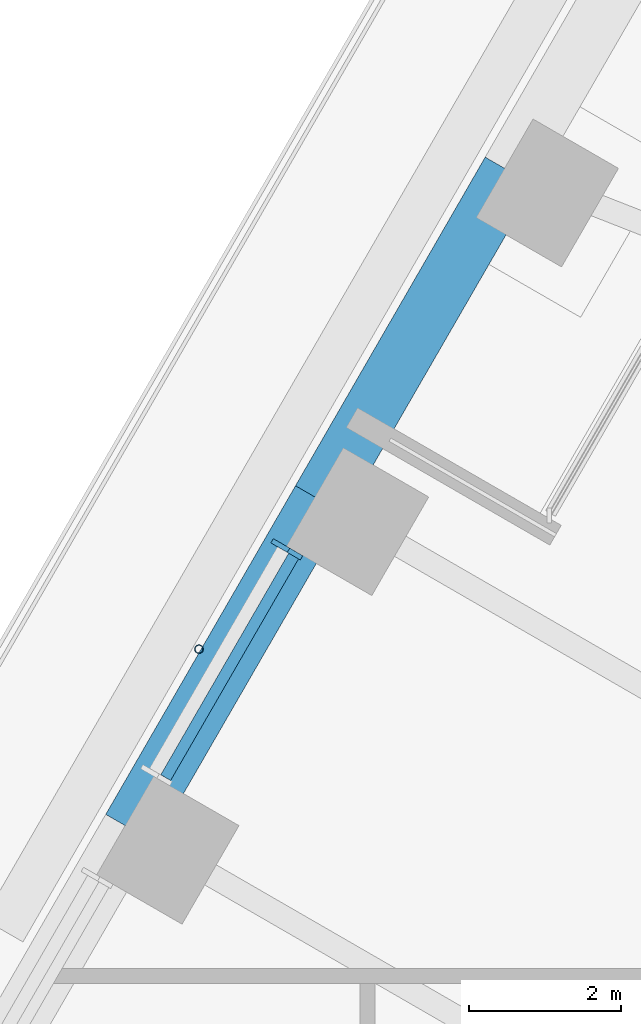
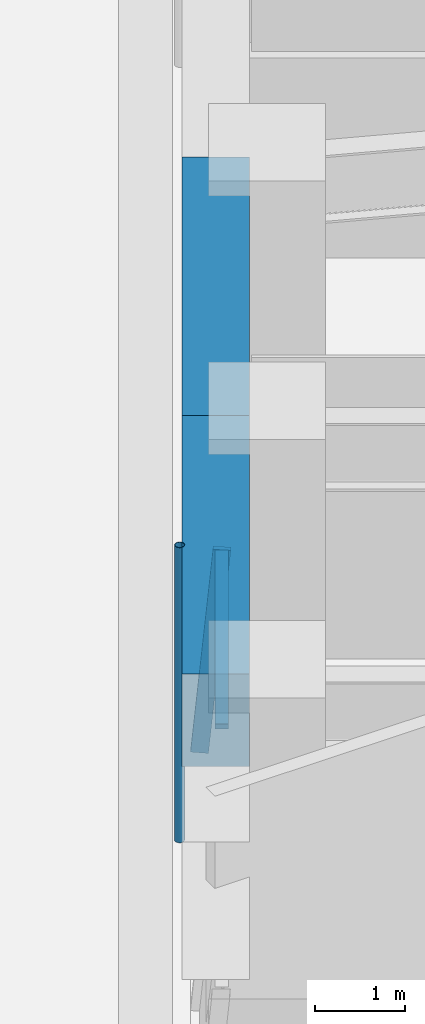
# One storey, part 7 of 24: 3 members, 2 beams, 1 element without a shape of its own.
"""IFC4 building model written with IfcOpenShell, lengths in metres."""

from ifc_helpers import new_model, si_unit, direction, frame, origin, origin_2d, place, context, subcontext, project, spatial, rectangle, hollow_circle, extrude, material, material_profile, profile_set, type_object, element, aggregate, save


model = new_model("IFC4")

# Units and contexts
model_context = context("Model", 3, precision=1e-05, world=origin(), true_north=direction((0.0, 1.0)))
body_context = subcontext(model_context, "Body", "Model", "MODEL_VIEW")
ifc_project = project(units=[si_unit("LENGTHUNIT", "METRE"), si_unit("AREAUNIT", "SQUARE_METRE"), si_unit("VOLUMEUNIT", "CUBIC_METRE"), si_unit("PLANEANGLEUNIT", "RADIAN"), si_unit("MASSUNIT", "GRAM", prefix="KILO")], contexts=[model_context])

# Site, building, storey
site_placement = place(None, origin())
site = spatial("IfcSite", under=ifc_project, at=site_placement, CompositionType="ELEMENT")
building_placement = place(site_placement, origin())
building = spatial("IfcBuilding", under=site, at=building_placement, Name="Tarfa Lantern Tower", CompositionType="ELEMENT")
storey_placement = place(building_placement, frame((0.0, 0.0, 195.10009765625)))
storey = spatial("IfcBuildingStorey", under=building, at=storey_placement, Name="L44", CompositionType="ELEMENT", Elevation=195.10009765625)

# Curtain wall, members
ifc_material_1 = material(Name="Aluminium framed curtain wall", Category="aluminium")
curtain_wall_type = type_object("IfcCurtainWallType", Name="CW2 CANTED GLAZING MID ZONE 2750", PredefinedType="USERDEFINED", material=ifc_material_1)
curtain_wall_placement = place(storey_placement, origin())
curtain_wall = element("IfcCurtainWall", 1, at=curtain_wall_placement, inside=storey, type_object=curtain_wall_type, Name="CW2 NWB L44", ObjectType="CURTAIN WALL", PredefinedType="USERDEFINED")
ifc_material_2 = material(Name="Aluminium mullion", Category="aluminium")
ifc_material_profile_1 = material_profile(ifc_material_2, rectangle(XDim=0.06494140625, YDim=0.199951171875, at=origin_2d()), Name="AL MULLION 65x200")
ifc_profile_set_1 = profile_set([ifc_material_profile_1], Name="Aluminium mullion")
member_type_1 = type_object("IfcMemberType", Name="CWM1 MULLION 65x200", PredefinedType="MULLION", material=ifc_profile_set_1)
member_1_placement = place(storey_placement, frame((-30.086181640625, 10.68896484375, 0.0), z_axis=(0.078335079308, -0.045268127094, 0.995898796073), x_axis=(0.500342721131, 0.865827443207, 0.0)))
member_1 = element("IfcMember", 2, at=member_1_placement, type_object=member_type_1, Name="CW2 mullion 1", PredefinedType="MULLION", context=body_context, shape_type="SweptSolid", body=[
    extrude(rectangle(XDim=0.06494140625, YDim=0.199951171875, at=origin_2d()), origin(), (0.0, 0.0, 1.0), 2.76123046875),
])
ifc_material_3 = material(Name="Aluminium transom", Category="aluminium")
ifc_material_profile_2 = material_profile(ifc_material_3, rectangle(XDim=0.14990234375, YDim=0.06494140625, at=origin_2d()), Name="AL TRANSOM 150x65")
ifc_profile_set_2 = profile_set([ifc_material_profile_2], Name="Aluminium transom")
member_type_2 = type_object("IfcMemberType", Name="CWT1 TRANSOM 150x65", PredefinedType="USERDEFINED", material=ifc_profile_set_2)
member_2_placement = place(storey_placement, frame((-29.888671875, 10.537353515625, 2.71728515625), z_axis=(-0.499991822116, -0.866030125237, 0.0), x_axis=(0.866030125237, -0.499991822116, 0.0)))
member_2 = element("IfcMember", 3, at=member_2_placement, type_object=member_type_2, Name="CW2 transom 1.2", ObjectType="TRANSOM", PredefinedType="USERDEFINED", context=body_context, shape_type="SweptSolid", body=[
    extrude(rectangle(XDim=0.14990234375, YDim=0.06494140625, at=origin_2d()), origin(), (0.0, 0.0, 1.0), 3.37353515625),
])
aggregate(curtain_wall, [member_1, member_2])

# Beams
ifc_material_4 = material(Name="Concrete C80/95", Category="concrete")
ifc_material_profile_3 = material_profile(ifc_material_4, rectangle(XDim=0.75, YDim=1.25, at=origin_2d()), Name="RC 750x1250")
ifc_profile_set_3 = profile_set([ifc_material_profile_3], Name="Concrete C80/95")
beam_type = type_object("IfcBeamType", Name="EB2 RC 750x1250", PredefinedType="SPANDREL", material=ifc_profile_set_3)
for number, where, z_axis, x_axis, name in (
    (4, (-27.037353515625, 15.610107421875, 3.375), (-0.499964603504, -0.866045838996, 0.0), (0.866045838996, -0.499964603504, 0.0), "Edge beam NW3"),
    (5, (-29.5390625, 11.276611328125, 3.375), (-0.500022324899, -0.866012514114, 0.0), (0.866012514114, -0.500022324899, 0.0), "Edge beam NW4"),
):
    element("IfcBeam", number, at=place(storey_placement, frame(where, z_axis=z_axis, x_axis=x_axis)), inside=storey, type_object=beam_type, Name=name, PredefinedType="SPANDREL", context=body_context, shape_type="SweptSolid", body=[
        extrude(rectangle(XDim=0.75, YDim=1.25, at=origin_2d()), origin(), (0.0, 0.0, 1.0), 5.003662109375),
    ])

# Member
ifc_material_5 = material(Name="Steel S355", Category="steel")
ifc_material_profile_4 = material_profile(ifc_material_5, hollow_circle(Radius=0.05712890625, WallThickness=0.00634765625, at=origin_2d()), Name="CHS114.3x6.3")
ifc_profile_set_4 = profile_set([ifc_material_profile_4], Name="Steel S355")
member_type_3 = type_object("IfcMemberType", Name="TR1 GREEN WALL TRELLIS CHS114.3x6.3", PredefinedType="USERDEFINED", material=ifc_profile_set_4)
member_3_placement = place(storey_placement, frame((-31.136474609375, 9.31005859375, 0.0), z_axis=(0.0, 0.0, 1.0), x_axis=(1.0, 0.0, 0.0)))
element("IfcMember", 6, at=member_3_placement, inside=storey, type_object=member_type_3, Name="Trellis post NW 2", ObjectType="TRELLIS", PredefinedType="USERDEFINED", context=body_context, shape_type="SweptSolid", body=[
    extrude(hollow_circle(Radius=0.05712890625, WallThickness=0.00634765625, at=origin_2d()), origin(), (0.0, 0.0, 1.0), 4.0),
])

save(model, "model.ifc")
